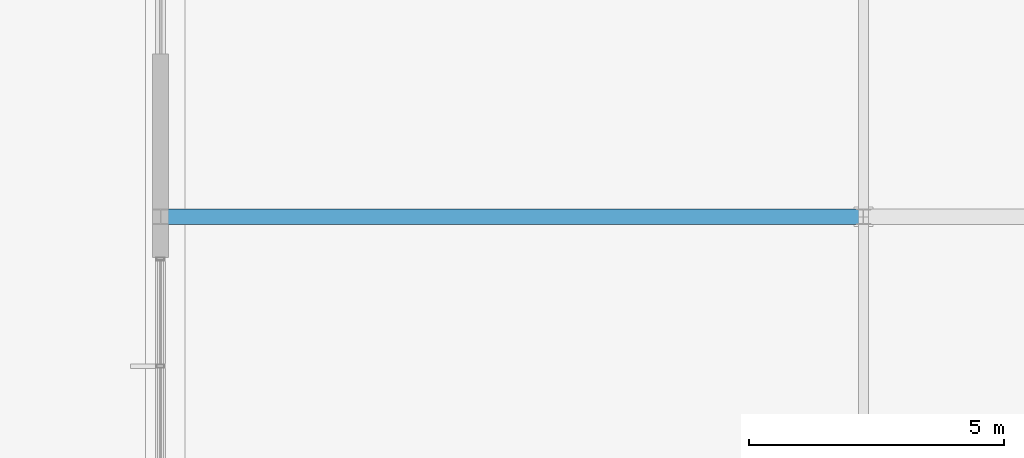
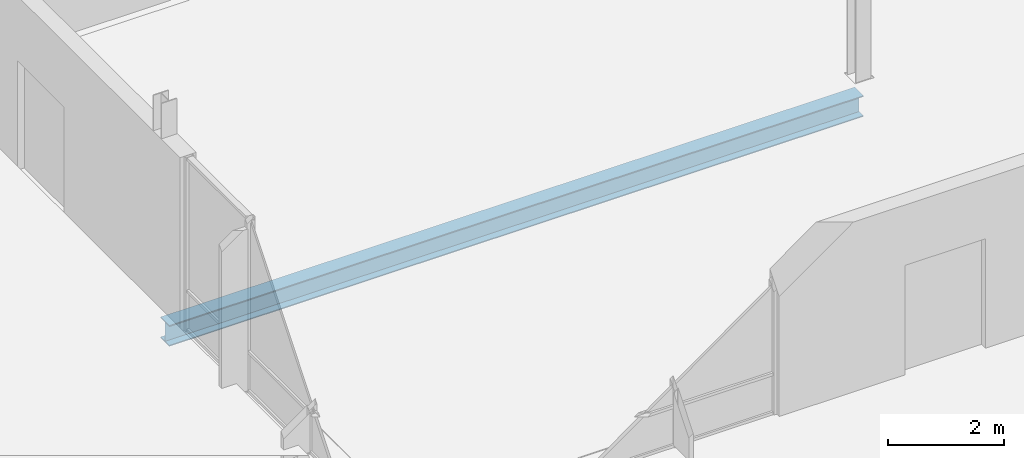
# One storey, part 151 of 233: 1 beam.
"""IFC4 building model written with IfcOpenShell, lengths in metres."""

from ifc_helpers import new_model, si_unit, direction, frame, origin, origin_2d, place, context, subcontext, project, spatial, i_section, extrude, material, material_profile, profile_set, type_object, element, save


model = new_model("IFC4")

# Units and contexts
model_context = context("Model", 3, precision=1e-05, world=origin(), true_north=direction((0.0, 1.0)))
body_context = subcontext(model_context, "Body", "Model", "MODEL_VIEW")
ifc_project = project(units=[si_unit("LENGTHUNIT", "METRE"), si_unit("AREAUNIT", "SQUARE_METRE"), si_unit("VOLUMEUNIT", "CUBIC_METRE"), si_unit("PLANEANGLEUNIT", "RADIAN"), si_unit("MASSUNIT", "GRAM", prefix="KILO")], contexts=[model_context])

# Site, building, storey
site_placement = place(None, origin())
site = spatial("IfcSite", under=ifc_project, at=site_placement, CompositionType="ELEMENT")
building_placement = place(site_placement, origin())
building = spatial("IfcBuilding", under=site, at=building_placement, Name="Zavelmont Quarter", CompositionType="ELEMENT")
storey_placement = place(building_placement, origin())
storey = spatial("IfcBuildingStorey", under=building, at=storey_placement, Name="L00", CompositionType="ELEMENT", Elevation=0.0)

# Beam
ifc_material = material(Name="Steel S355", Category="steel")
ifc_material_profile = material_profile(ifc_material, i_section(OverallWidth=0.300048828125, OverallDepth=0.43994140625, WebThickness=0.011474609375, FlangeThickness=0.02099609375, at=origin_2d()), Name="HEA 450")
ifc_profile_set = profile_set([ifc_material_profile], Name="Steel S355")
beam_type = type_object("IfcBeamType", Name="BM10", PredefinedType="BEAM", material=ifc_profile_set)
beam_placement = place(storey_placement, frame((133.5, 46.0, -0.5400390625), z_axis=(1.0, 0.0, 0.0), x_axis=(0.0, 1.0, 0.0)))
element("IfcBeam", 1, at=beam_placement, inside=storey, type_object=beam_type, Name="L00 beam BM10 20/H to 22/H", PredefinedType="BEAM", context=body_context, shape_type="SweptSolid", body=[
    extrude(i_section(OverallWidth=0.300048828125, OverallDepth=0.43994140625, WebThickness=0.011474609375, FlangeThickness=0.02099609375, at=origin_2d()), origin(), (0.0, 0.0, 1.0), 13.800048828125),
])

save(model, "model.ifc")
